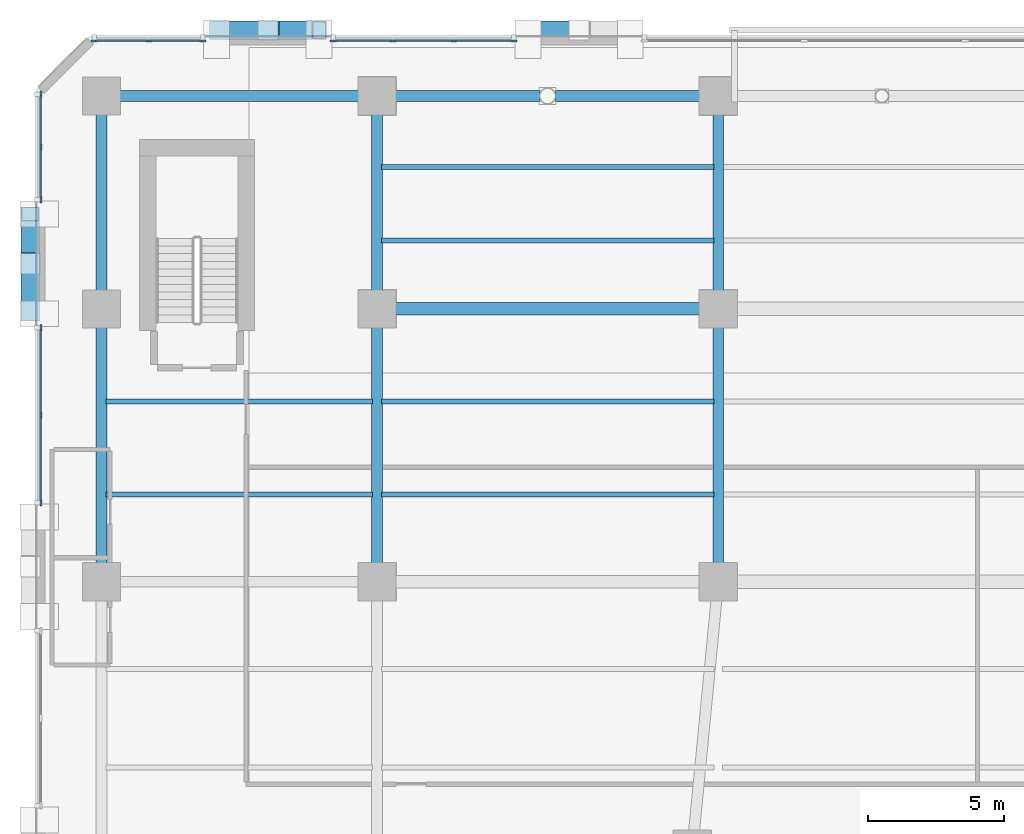
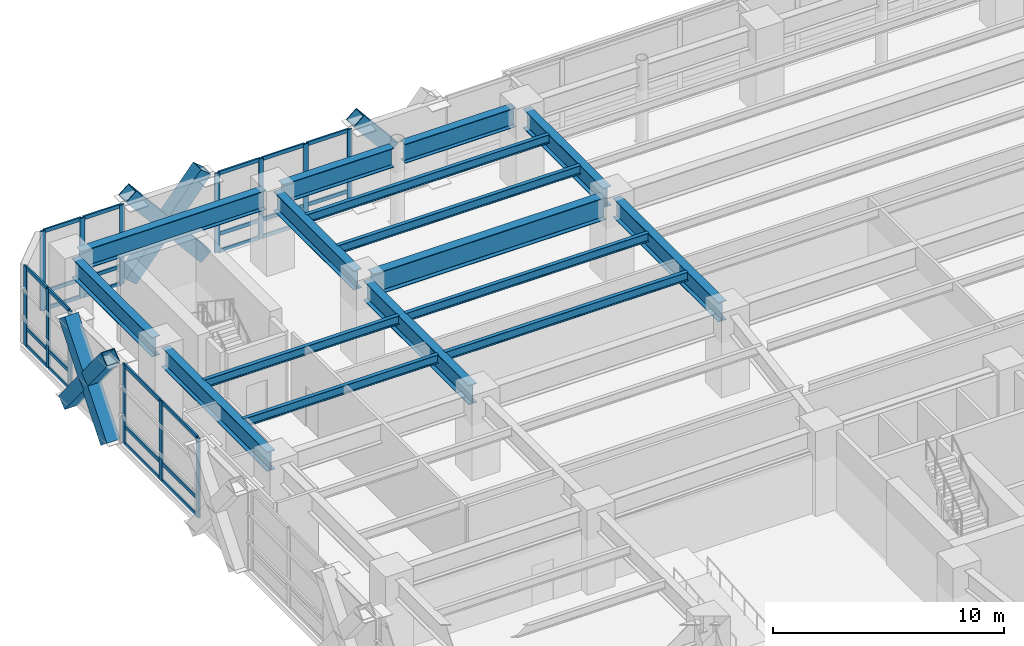
# One storey, part 9 of 30: 47 members, 16 beams, 4 elements without a shape of their own.
"""IFC4 building model written with IfcOpenShell, lengths in metres."""

from ifc_helpers import new_model, si_unit, direction, frame, origin, origin_2d, place, context, subcontext, project, spatial, rectangle, hollow_rectangle, i_section, extrude, material, material_profile, profile_set, type_object, element, aggregate, save


model = new_model("IFC4")

# Units and contexts
model_context = context("Model", 3, precision=1e-05, world=origin(), true_north=direction((0.0, 1.0)))
body_context = subcontext(model_context, "Body", "Model", "MODEL_VIEW")
ifc_project = project(units=[si_unit("LENGTHUNIT", "METRE"), si_unit("AREAUNIT", "SQUARE_METRE"), si_unit("VOLUMEUNIT", "CUBIC_METRE"), si_unit("PLANEANGLEUNIT", "RADIAN"), si_unit("MASSUNIT", "GRAM", prefix="KILO")], contexts=[model_context])

# Site, building, storey
site_placement = place(None, origin())
site = spatial("IfcSite", under=ifc_project, at=site_placement, CompositionType="ELEMENT")
building_placement = place(site_placement, origin())
building = spatial("IfcBuilding", under=site, at=building_placement, Name="Quenlor Broadcast Tower", CompositionType="ELEMENT")
storey_placement = place(building_placement, frame((0.0, 0.0, 9.5)))
storey = spatial("IfcBuildingStorey", under=building, at=storey_placement, Name="L02", CompositionType="ELEMENT", Elevation=9.5)

# Curtain wall, members
ifc_material_1 = material(Name="Architectural Terracotta and Low-E Glazing", Category="masonry")
curtain_wall_type = type_object("IfcCurtainWallType", Name="Station Concourse and Crown Terracotta Curtain Wall", PredefinedType="NOTDEFINED", material=ifc_material_1)
curtain_wall_1_placement = place(storey_placement, origin())
curtain_wall_1 = element("IfcCurtainWall", 1, at=curtain_wall_1_placement, inside=storey, type_object=curtain_wall_type, Name="L02 Curtain Wall CW6 (L02-N-FULL-G1)", PredefinedType="NOTDEFINED")
ifc_material_2 = material(Name="Aluminium 6063-T6", Category="aluminium")
ifc_material_profile_1 = material_profile(ifc_material_2, rectangle(XDim=0.08203125, YDim=0.239990234375, at=origin_2d()))
ifc_profile_set_1 = profile_set([ifc_material_profile_1], Name="Aluminium 6063-T6 MULL82x240")
member_type_1 = type_object("IfcMemberType", Name="CW6 Aluminium Mullion MULL_CW6", PredefinedType="MULLION", material=ifc_profile_set_1)
member_1_placement = place(storey_placement, frame((-34.85888671875, 24.820068359375, 0.0), z_axis=(0.0, 0.0, 1.0), x_axis=(0.0, 1.0, 0.0)))
member_1 = element("IfcMember", 2, at=member_1_placement, type_object=member_type_1, Name="CW6 mullion 1", PredefinedType="MULLION", context=body_context, shape_type="SweptSolid", body=[
    extrude(rectangle(XDim=0.08203125, YDim=0.239990234375, at=origin_2d()), origin(), (0.0, 0.0, 1.0), 4.199951171875),
])
member_2_placement = place(storey_placement, frame((-32.874755859375, 24.820068359375, 0.0), z_axis=(0.0, 0.0, 1.0), x_axis=(0.0, 1.0, 0.0)))
member_2 = element("IfcMember", 3, at=member_2_placement, type_object=member_type_1, Name="CW6 mullion 2", PredefinedType="MULLION", context=body_context, shape_type="SweptSolid", body=[
    extrude(rectangle(XDim=0.08203125, YDim=0.239990234375, at=origin_2d()), origin(), (0.0, 0.0, 1.0), 4.199951171875),
])
member_3_placement = place(storey_placement, frame((-30.890380859375, 24.820068359375, 0.0), z_axis=(0.0, 0.0, 1.0), x_axis=(0.0, 1.0, 0.0)))
member_3 = element("IfcMember", 4, at=member_3_placement, type_object=member_type_1, Name="CW6 mullion 3", PredefinedType="MULLION", context=body_context, shape_type="SweptSolid", body=[
    extrude(rectangle(XDim=0.08203125, YDim=0.239990234375, at=origin_2d()), origin(), (0.0, 0.0, 1.0), 4.199951171875),
])

curtain_wall_2_placement = place(storey_placement, origin())
curtain_wall_2 = element("IfcCurtainWall", 5, at=curtain_wall_2_placement, inside=storey, type_object=curtain_wall_type, Name="L02 Curtain Wall CW6 (L02-N-FULL-G2)", PredefinedType="NOTDEFINED")
member_4_placement = place(storey_placement, frame((-26.109619140625, 24.820068359375, 0.0), z_axis=(0.0, 0.0, 1.0), x_axis=(0.0, 1.0, 0.0)))
member_4 = element("IfcMember", 6, at=member_4_placement, type_object=member_type_1, Name="CW6 mullion 1", PredefinedType="MULLION", context=body_context, shape_type="SweptSolid", body=[
    extrude(rectangle(XDim=0.08203125, YDim=0.239990234375, at=origin_2d()), origin(), (0.0, 0.0, 1.0), 4.199951171875),
])
member_5_placement = place(storey_placement, frame((-23.916748046875, 24.820068359375, 0.0), z_axis=(0.0, 0.0, 1.0), x_axis=(0.0, 1.0, 0.0)))
member_5 = element("IfcMember", 7, at=member_5_placement, type_object=member_type_1, Name="CW6 mullion 2", PredefinedType="MULLION", context=body_context, shape_type="SweptSolid", body=[
    extrude(rectangle(XDim=0.08203125, YDim=0.239990234375, at=origin_2d()), origin(), (0.0, 0.0, 1.0), 4.199951171875),
])
member_6_placement = place(storey_placement, frame((-21.68310546875, 24.820068359375, 0.0), z_axis=(0.0, 0.0, 1.0), x_axis=(0.0, 1.0, 0.0)))
member_6 = element("IfcMember", 8, at=member_6_placement, type_object=member_type_1, Name="CW6 mullion 3", PredefinedType="MULLION", context=body_context, shape_type="SweptSolid", body=[
    extrude(rectangle(XDim=0.08203125, YDim=0.239990234375, at=origin_2d()), origin(), (0.0, 0.0, 1.0), 4.199951171875),
])
member_7_placement = place(storey_placement, frame((-19.490478515625, 24.820068359375, 0.0), z_axis=(0.0, 0.0, 1.0), x_axis=(0.0, 1.0, 0.0)))
member_7 = element("IfcMember", 9, at=member_7_placement, type_object=member_type_1, Name="CW6 mullion 4", PredefinedType="MULLION", context=body_context, shape_type="SweptSolid", body=[
    extrude(rectangle(XDim=0.08203125, YDim=0.239990234375, at=origin_2d()), origin(), (0.0, 0.0, 1.0), 4.199951171875),
])

curtain_wall_3_placement = place(storey_placement, origin())
curtain_wall_3 = element("IfcCurtainWall", 10, at=curtain_wall_3_placement, inside=storey, type_object=curtain_wall_type, Name="L02 Curtain Wall CW6 (L02-W-FULL-G4)", PredefinedType="NOTDEFINED")
member_8_placement = place(storey_placement, frame((-36.820068359375, 7.893798828125, 0.0), z_axis=(0.0, 0.0, 1.0), x_axis=(-1.0, 0.0, 0.0)))
member_8 = element("IfcMember", 11, at=member_8_placement, type_object=member_type_1, Name="CW6 mullion 1", PredefinedType="MULLION", context=body_context, shape_type="SweptSolid", body=[
    extrude(rectangle(XDim=0.08203125, YDim=0.239990234375, at=origin_2d()), origin(), (0.0, 0.0, 1.0), 4.199951171875),
])
member_9_placement = place(storey_placement, frame((-36.820068359375, 11.10009765625, 0.0), z_axis=(0.0, 0.0, 1.0), x_axis=(-1.0, 0.0, 0.0)))
member_9 = element("IfcMember", 12, at=member_9_placement, type_object=member_type_1, Name="CW6 mullion 2", PredefinedType="MULLION", context=body_context, shape_type="SweptSolid", body=[
    extrude(rectangle(XDim=0.08203125, YDim=0.239990234375, at=origin_2d()), origin(), (0.0, 0.0, 1.0), 4.199951171875),
])
member_10_placement = place(storey_placement, frame((-36.820068359375, 14.306396484375, 0.0), z_axis=(0.0, 0.0, 1.0), x_axis=(-1.0, 0.0, 0.0)))
member_10 = element("IfcMember", 13, at=member_10_placement, type_object=member_type_1, Name="CW6 mullion 3", PredefinedType="MULLION", context=body_context, shape_type="SweptSolid", body=[
    extrude(rectangle(XDim=0.08203125, YDim=0.239990234375, at=origin_2d()), origin(), (0.0, 0.0, 1.0), 4.199951171875),
])

curtain_wall_4_placement = place(storey_placement, origin())
curtain_wall_4 = element("IfcCurtainWall", 14, at=curtain_wall_4_placement, inside=storey, type_object=curtain_wall_type, Name="L02 Curtain Wall CW6 (L02-W-FULL-G5)", PredefinedType="NOTDEFINED")
member_11_placement = place(storey_placement, frame((-36.820068359375, 18.99365234375, 0.0), z_axis=(0.0, 0.0, 1.0), x_axis=(-1.0, 0.0, 0.0)))
member_11 = element("IfcMember", 15, at=member_11_placement, type_object=member_type_1, Name="CW6 mullion 1", PredefinedType="MULLION", context=body_context, shape_type="SweptSolid", body=[
    extrude(rectangle(XDim=0.08203125, YDim=0.239990234375, at=origin_2d()), origin(), (0.0, 0.0, 1.0), 4.199951171875),
])
member_12_placement = place(storey_placement, frame((-36.820068359375, 20.92626953125, 0.0), z_axis=(0.0, 0.0, 1.0), x_axis=(-1.0, 0.0, 0.0)))
member_12 = element("IfcMember", 16, at=member_12_placement, type_object=member_type_1, Name="CW6 mullion 2", PredefinedType="MULLION", context=body_context, shape_type="SweptSolid", body=[
    extrude(rectangle(XDim=0.08203125, YDim=0.239990234375, at=origin_2d()), origin(), (0.0, 0.0, 1.0), 4.199951171875),
])
member_13_placement = place(storey_placement, frame((-36.820068359375, 22.85888671875, 0.0), z_axis=(0.0, 0.0, 1.0), x_axis=(-1.0, 0.0, 0.0)))
member_13 = element("IfcMember", 17, at=member_13_placement, type_object=member_type_1, Name="CW6 mullion 3", PredefinedType="MULLION", context=body_context, shape_type="SweptSolid", body=[
    extrude(rectangle(XDim=0.08203125, YDim=0.239990234375, at=origin_2d()), origin(), (0.0, 0.0, 1.0), 4.199951171875),
])

# Member
ifc_material_3 = material(Name="Aluminium 6063-T6", Category="aluminium")
ifc_material_profile_2 = material_profile(ifc_material_3, rectangle(XDim=0.08203125, YDim=0.195068359375, at=origin_2d()))
ifc_profile_set_2 = profile_set([ifc_material_profile_2], Name="Aluminium 6063-T6 TRAN82x195")
member_type_2 = type_object("IfcMemberType", Name="CW6 Aluminium Transom TRAN_CW6", PredefinedType="USERDEFINED", material=ifc_profile_set_2)
member_14_placement = place(storey_placement, frame((-34.818115234375, 24.820068359375, 0.041015625), z_axis=(1.0, 0.0, 0.0), x_axis=(0.0, 1.0, 0.0)))
member_14 = element("IfcMember", 18, at=member_14_placement, type_object=member_type_2, Name="CW6 transom 1.1", ObjectType="TRANSOM", PredefinedType="USERDEFINED", context=body_context, shape_type="SweptSolid", body=[
    extrude(rectangle(XDim=0.08203125, YDim=0.195068359375, at=origin_2d()), origin(), (0.0, 0.0, 1.0), 1.90234375),
])

member_15_placement = place(storey_placement, frame((-34.818115234375, 24.820068359375, 0.949951171875), z_axis=(1.0, 0.0, 0.0), x_axis=(0.0, 1.0, 0.0)))
member_15 = element("IfcMember", 19, at=member_15_placement, type_object=member_type_2, Name="CW6 transom 1.2", ObjectType="TRANSOM", PredefinedType="USERDEFINED", context=body_context, shape_type="SweptSolid", body=[
    extrude(rectangle(XDim=0.08203125, YDim=0.195068359375, at=origin_2d()), origin(), (0.0, 0.0, 1.0), 1.90234375),
])

member_16_placement = place(storey_placement, frame((-34.818115234375, 24.820068359375, 4.158935546875), z_axis=(1.0, 0.0, 0.0), x_axis=(0.0, 1.0, 0.0)))
member_16 = element("IfcMember", 20, at=member_16_placement, type_object=member_type_2, Name="CW6 transom 1.3", ObjectType="TRANSOM", PredefinedType="USERDEFINED", context=body_context, shape_type="SweptSolid", body=[
    extrude(rectangle(XDim=0.08203125, YDim=0.195068359375, at=origin_2d()), origin(), (0.0, 0.0, 1.0), 1.90234375),
])

member_17_placement = place(storey_placement, frame((-32.833740234375, 24.820068359375, 0.041015625), z_axis=(1.0, 0.0, 0.0), x_axis=(0.0, 1.0, 0.0)))
member_17 = element("IfcMember", 21, at=member_17_placement, type_object=member_type_2, Name="CW6 transom 2.1", ObjectType="TRANSOM", PredefinedType="USERDEFINED", context=body_context, shape_type="SweptSolid", body=[
    extrude(rectangle(XDim=0.08203125, YDim=0.195068359375, at=origin_2d()), origin(), (0.0, 0.0, 1.0), 1.90234375),
])

member_18_placement = place(storey_placement, frame((-32.833740234375, 24.820068359375, 0.949951171875), z_axis=(1.0, 0.0, 0.0), x_axis=(0.0, 1.0, 0.0)))
member_18 = element("IfcMember", 22, at=member_18_placement, type_object=member_type_2, Name="CW6 transom 2.2", ObjectType="TRANSOM", PredefinedType="USERDEFINED", context=body_context, shape_type="SweptSolid", body=[
    extrude(rectangle(XDim=0.08203125, YDim=0.195068359375, at=origin_2d()), origin(), (0.0, 0.0, 1.0), 1.90234375),
])

member_19_placement = place(storey_placement, frame((-32.833740234375, 24.820068359375, 4.158935546875), z_axis=(1.0, 0.0, 0.0), x_axis=(0.0, 1.0, 0.0)))
member_19 = element("IfcMember", 23, at=member_19_placement, type_object=member_type_2, Name="CW6 transom 2.3", ObjectType="TRANSOM", PredefinedType="USERDEFINED", context=body_context, shape_type="SweptSolid", body=[
    extrude(rectangle(XDim=0.08203125, YDim=0.195068359375, at=origin_2d()), origin(), (0.0, 0.0, 1.0), 1.90234375),
])

aggregate(curtain_wall_1, [member_1, member_2, member_3, member_14, member_15, member_16, member_17, member_18, member_19])

member_20_placement = place(storey_placement, frame((-26.068603515625, 24.820068359375, 0.041015625), z_axis=(1.0, 0.0, 0.0), x_axis=(0.0, 1.0, 0.0)))
member_20 = element("IfcMember", 24, at=member_20_placement, type_object=member_type_2, Name="CW6 transom 1.1", ObjectType="TRANSOM", PredefinedType="USERDEFINED", context=body_context, shape_type="SweptSolid", body=[
    extrude(rectangle(XDim=0.08203125, YDim=0.195068359375, at=origin_2d()), origin(), (0.0, 0.0, 1.0), 2.11083984375),
])

member_21_placement = place(storey_placement, frame((-26.068603515625, 24.820068359375, 0.949951171875), z_axis=(1.0, 0.0, 0.0), x_axis=(0.0, 1.0, 0.0)))
member_21 = element("IfcMember", 25, at=member_21_placement, type_object=member_type_2, Name="CW6 transom 1.2", ObjectType="TRANSOM", PredefinedType="USERDEFINED", context=body_context, shape_type="SweptSolid", body=[
    extrude(rectangle(XDim=0.08203125, YDim=0.195068359375, at=origin_2d()), origin(), (0.0, 0.0, 1.0), 2.11083984375),
])

member_22_placement = place(storey_placement, frame((-26.068603515625, 24.820068359375, 4.158935546875), z_axis=(1.0, 0.0, 0.0), x_axis=(0.0, 1.0, 0.0)))
member_22 = element("IfcMember", 26, at=member_22_placement, type_object=member_type_2, Name="CW6 transom 1.3", ObjectType="TRANSOM", PredefinedType="USERDEFINED", context=body_context, shape_type="SweptSolid", body=[
    extrude(rectangle(XDim=0.08203125, YDim=0.195068359375, at=origin_2d()), origin(), (0.0, 0.0, 1.0), 2.11083984375),
])

member_23_placement = place(storey_placement, frame((-23.875732421875, 24.820068359375, 0.041015625), z_axis=(1.0, 0.0, 0.0), x_axis=(0.0, 1.0, 0.0)))
member_23 = element("IfcMember", 27, at=member_23_placement, type_object=member_type_2, Name="CW6 transom 2.1", ObjectType="TRANSOM", PredefinedType="USERDEFINED", context=body_context, shape_type="SweptSolid", body=[
    extrude(rectangle(XDim=0.08203125, YDim=0.195068359375, at=origin_2d()), origin(), (0.0, 0.0, 1.0), 2.151611328125),
])

member_24_placement = place(storey_placement, frame((-23.875732421875, 24.820068359375, 0.949951171875), z_axis=(1.0, 0.0, 0.0), x_axis=(0.0, 1.0, 0.0)))
member_24 = element("IfcMember", 28, at=member_24_placement, type_object=member_type_2, Name="CW6 transom 2.2", ObjectType="TRANSOM", PredefinedType="USERDEFINED", context=body_context, shape_type="SweptSolid", body=[
    extrude(rectangle(XDim=0.08203125, YDim=0.195068359375, at=origin_2d()), origin(), (0.0, 0.0, 1.0), 2.151611328125),
])

member_25_placement = place(storey_placement, frame((-23.875732421875, 24.820068359375, 4.158935546875), z_axis=(1.0, 0.0, 0.0), x_axis=(0.0, 1.0, 0.0)))
member_25 = element("IfcMember", 29, at=member_25_placement, type_object=member_type_2, Name="CW6 transom 2.3", ObjectType="TRANSOM", PredefinedType="USERDEFINED", context=body_context, shape_type="SweptSolid", body=[
    extrude(rectangle(XDim=0.08203125, YDim=0.195068359375, at=origin_2d()), origin(), (0.0, 0.0, 1.0), 2.151611328125),
])

member_26_placement = place(storey_placement, frame((-21.64208984375, 24.820068359375, 0.041015625), z_axis=(1.0, 0.0, 0.0), x_axis=(0.0, 1.0, 0.0)))
member_26 = element("IfcMember", 30, at=member_26_placement, type_object=member_type_2, Name="CW6 transom 3.1", ObjectType="TRANSOM", PredefinedType="USERDEFINED", context=body_context, shape_type="SweptSolid", body=[
    extrude(rectangle(XDim=0.08203125, YDim=0.195068359375, at=origin_2d()), origin(), (0.0, 0.0, 1.0), 2.110595703125),
])

member_27_placement = place(storey_placement, frame((-21.64208984375, 24.820068359375, 0.949951171875), z_axis=(1.0, 0.0, 0.0), x_axis=(0.0, 1.0, 0.0)))
member_27 = element("IfcMember", 31, at=member_27_placement, type_object=member_type_2, Name="CW6 transom 3.2", ObjectType="TRANSOM", PredefinedType="USERDEFINED", context=body_context, shape_type="SweptSolid", body=[
    extrude(rectangle(XDim=0.08203125, YDim=0.195068359375, at=origin_2d()), origin(), (0.0, 0.0, 1.0), 2.110595703125),
])

member_28_placement = place(storey_placement, frame((-21.64208984375, 24.820068359375, 4.158935546875), z_axis=(1.0, 0.0, 0.0), x_axis=(0.0, 1.0, 0.0)))
member_28 = element("IfcMember", 32, at=member_28_placement, type_object=member_type_2, Name="CW6 transom 3.3", ObjectType="TRANSOM", PredefinedType="USERDEFINED", context=body_context, shape_type="SweptSolid", body=[
    extrude(rectangle(XDim=0.08203125, YDim=0.195068359375, at=origin_2d()), origin(), (0.0, 0.0, 1.0), 2.110595703125),
])

aggregate(curtain_wall_2, [member_4, member_5, member_6, member_7, member_20, member_21, member_22, member_23, member_24, member_25, member_26, member_27, member_28])

member_29_placement = place(storey_placement, frame((-36.820068359375, 7.934814453125, 0.041015625), z_axis=(0.0, 1.0, 0.0), x_axis=(-1.0, 0.0, 0.0)))
member_29 = element("IfcMember", 33, at=member_29_placement, type_object=member_type_2, Name="CW6 transom 1.1", ObjectType="TRANSOM", PredefinedType="USERDEFINED", context=body_context, shape_type="SweptSolid", body=[
    extrude(rectangle(XDim=0.08203125, YDim=0.195068359375, at=origin_2d()), origin(), (0.0, 0.0, 1.0), 3.124267578125),
])

member_30_placement = place(storey_placement, frame((-36.820068359375, 7.934814453125, 0.949951171875), z_axis=(0.0, 1.0, 0.0), x_axis=(-1.0, 0.0, 0.0)))
member_30 = element("IfcMember", 34, at=member_30_placement, type_object=member_type_2, Name="CW6 transom 1.2", ObjectType="TRANSOM", PredefinedType="USERDEFINED", context=body_context, shape_type="SweptSolid", body=[
    extrude(rectangle(XDim=0.08203125, YDim=0.195068359375, at=origin_2d()), origin(), (0.0, 0.0, 1.0), 3.124267578125),
])

member_31_placement = place(storey_placement, frame((-36.820068359375, 7.934814453125, 4.158935546875), z_axis=(0.0, 1.0, 0.0), x_axis=(-1.0, 0.0, 0.0)))
member_31 = element("IfcMember", 35, at=member_31_placement, type_object=member_type_2, Name="CW6 transom 1.3", ObjectType="TRANSOM", PredefinedType="USERDEFINED", context=body_context, shape_type="SweptSolid", body=[
    extrude(rectangle(XDim=0.08203125, YDim=0.195068359375, at=origin_2d()), origin(), (0.0, 0.0, 1.0), 3.124267578125),
])

member_32_placement = place(storey_placement, frame((-36.820068359375, 11.14111328125, 0.041015625), z_axis=(0.0, 1.0, 0.0), x_axis=(-1.0, 0.0, 0.0)))
member_32 = element("IfcMember", 36, at=member_32_placement, type_object=member_type_2, Name="CW6 transom 2.1", ObjectType="TRANSOM", PredefinedType="USERDEFINED", context=body_context, shape_type="SweptSolid", body=[
    extrude(rectangle(XDim=0.08203125, YDim=0.195068359375, at=origin_2d()), origin(), (0.0, 0.0, 1.0), 3.124267578125),
])

member_33_placement = place(storey_placement, frame((-36.820068359375, 11.14111328125, 0.949951171875), z_axis=(0.0, 1.0, 0.0), x_axis=(-1.0, 0.0, 0.0)))
member_33 = element("IfcMember", 37, at=member_33_placement, type_object=member_type_2, Name="CW6 transom 2.2", ObjectType="TRANSOM", PredefinedType="USERDEFINED", context=body_context, shape_type="SweptSolid", body=[
    extrude(rectangle(XDim=0.08203125, YDim=0.195068359375, at=origin_2d()), origin(), (0.0, 0.0, 1.0), 3.124267578125),
])

member_34_placement = place(storey_placement, frame((-36.820068359375, 11.14111328125, 4.158935546875), z_axis=(0.0, 1.0, 0.0), x_axis=(-1.0, 0.0, 0.0)))
member_34 = element("IfcMember", 38, at=member_34_placement, type_object=member_type_2, Name="CW6 transom 2.3", ObjectType="TRANSOM", PredefinedType="USERDEFINED", context=body_context, shape_type="SweptSolid", body=[
    extrude(rectangle(XDim=0.08203125, YDim=0.195068359375, at=origin_2d()), origin(), (0.0, 0.0, 1.0), 3.124267578125),
])

aggregate(curtain_wall_3, [member_8, member_9, member_10, member_29, member_30, member_31, member_32, member_33, member_34])

member_35_placement = place(storey_placement, frame((-36.820068359375, 19.03466796875, 0.041015625), z_axis=(0.0, 1.0, 0.0), x_axis=(-1.0, 0.0, 0.0)))
member_35 = element("IfcMember", 39, at=member_35_placement, type_object=member_type_2, Name="CW6 transom 1.1", ObjectType="TRANSOM", PredefinedType="USERDEFINED", context=body_context, shape_type="SweptSolid", body=[
    extrude(rectangle(XDim=0.08203125, YDim=0.195068359375, at=origin_2d()), origin(), (0.0, 0.0, 1.0), 1.8505859375),
])

member_36_placement = place(storey_placement, frame((-36.820068359375, 19.03466796875, 0.949951171875), z_axis=(0.0, 1.0, 0.0), x_axis=(-1.0, 0.0, 0.0)))
member_36 = element("IfcMember", 40, at=member_36_placement, type_object=member_type_2, Name="CW6 transom 1.2", ObjectType="TRANSOM", PredefinedType="USERDEFINED", context=body_context, shape_type="SweptSolid", body=[
    extrude(rectangle(XDim=0.08203125, YDim=0.195068359375, at=origin_2d()), origin(), (0.0, 0.0, 1.0), 1.8505859375),
])

member_37_placement = place(storey_placement, frame((-36.820068359375, 19.03466796875, 4.158935546875), z_axis=(0.0, 1.0, 0.0), x_axis=(-1.0, 0.0, 0.0)))
member_37 = element("IfcMember", 41, at=member_37_placement, type_object=member_type_2, Name="CW6 transom 1.3", ObjectType="TRANSOM", PredefinedType="USERDEFINED", context=body_context, shape_type="SweptSolid", body=[
    extrude(rectangle(XDim=0.08203125, YDim=0.195068359375, at=origin_2d()), origin(), (0.0, 0.0, 1.0), 1.8505859375),
])

member_38_placement = place(storey_placement, frame((-36.820068359375, 20.96728515625, 0.041015625), z_axis=(0.0, 1.0, 0.0), x_axis=(-1.0, 0.0, 0.0)))
member_38 = element("IfcMember", 42, at=member_38_placement, type_object=member_type_2, Name="CW6 transom 2.1", ObjectType="TRANSOM", PredefinedType="USERDEFINED", context=body_context, shape_type="SweptSolid", body=[
    extrude(rectangle(XDim=0.08203125, YDim=0.195068359375, at=origin_2d()), origin(), (0.0, 0.0, 1.0), 1.850830078125),
])

member_39_placement = place(storey_placement, frame((-36.820068359375, 20.96728515625, 0.949951171875), z_axis=(0.0, 1.0, 0.0), x_axis=(-1.0, 0.0, 0.0)))
member_39 = element("IfcMember", 43, at=member_39_placement, type_object=member_type_2, Name="CW6 transom 2.2", ObjectType="TRANSOM", PredefinedType="USERDEFINED", context=body_context, shape_type="SweptSolid", body=[
    extrude(rectangle(XDim=0.08203125, YDim=0.195068359375, at=origin_2d()), origin(), (0.0, 0.0, 1.0), 1.850830078125),
])

member_40_placement = place(storey_placement, frame((-36.820068359375, 20.96728515625, 4.158935546875), z_axis=(0.0, 1.0, 0.0), x_axis=(-1.0, 0.0, 0.0)))
member_40 = element("IfcMember", 44, at=member_40_placement, type_object=member_type_2, Name="CW6 transom 2.3", ObjectType="TRANSOM", PredefinedType="USERDEFINED", context=body_context, shape_type="SweptSolid", body=[
    extrude(rectangle(XDim=0.08203125, YDim=0.195068359375, at=origin_2d()), origin(), (0.0, 0.0, 1.0), 1.850830078125),
])

aggregate(curtain_wall_4, [member_11, member_12, member_13, member_35, member_36, member_37, member_38, member_39, member_40])

# Members
ifc_material_4 = material(Name="Steel S355", Category="steel")
ifc_material_profile_3 = material_profile(ifc_material_4, hollow_rectangle(XDim=0.679931640625, YDim=0.679931640625, WallThickness=0.034912109375, at=origin_2d()))
ifc_profile_set_3 = profile_set([ifc_material_profile_3], Name="Steel S355 RHS680x680x35")
member_type_3 = type_object("IfcMemberType", Name="Perimeter Diagonal Lattice Brace Z1 Steel S355 RHS680x35", PredefinedType="BRACE", material=ifc_profile_set_3)
member_41_placement = place(storey_placement, frame((-30.377197265625, 25.215087890625, -0.1201171875), z_axis=(0.640626831312, 0.0, 0.767852370578), x_axis=(0.0, 1.0, 0.0)))
element("IfcMember", 45, at=member_41_placement, inside=storey, type_object=member_type_3, Name="L02 Podium Diamond Lattice N-P1XA", PredefinedType="BRACE", context=body_context, shape_type="SweptSolid", body=[
    extrude(hollow_rectangle(XDim=0.679931640625, YDim=0.679931640625, WallThickness=0.034912109375, at=origin_2d()), origin(), (0.0, 0.0, 1.0), 5.860595703125),
])
member_42_placement = place(storey_placement, frame((-26.622802734375, 25.215087890625, -0.1201171875), z_axis=(-0.640614349103, 0.0, 0.767862784437), x_axis=(0.0, -1.0, 0.0)))
element("IfcMember", 46, at=member_42_placement, inside=storey, type_object=member_type_3, Name="L02 Podium Diamond Lattice N-P1XB1", PredefinedType="BRACE", context=body_context, shape_type="SweptSolid", body=[
    extrude(hollow_rectangle(XDim=0.679931640625, YDim=0.679931640625, WallThickness=0.034912109375, at=origin_2d()), origin(), (0.0, 0.0, 1.0), 2.680419921875),
])
for number, where, z_axis, x_axis, name in (
    (47, (-28.66015625, 25.215087890625, 2.322021484375), (-0.640659157162, 0.0, 0.767825399648), (0.0, -1.0, 0.0), "L02 Podium Diamond Lattice N-P1XB2"),
    (48, (-17.26025390625, 25.215087890625, 2.322021484375), (-0.640659157162, 0.0, 0.767825399648), (0.0, -1.0, 0.0), "L02 Podium Diamond Lattice N-P2XB2"),
):
    element("IfcMember", number, at=place(storey_placement, frame(where, z_axis=z_axis, x_axis=x_axis)), inside=storey, type_object=member_type_3, Name=name, PredefinedType="BRACE", context=body_context, shape_type="SweptSolid", body=[
        extrude(hollow_rectangle(XDim=0.679931640625, YDim=0.679931640625, WallThickness=0.034912109375, at=origin_2d()), origin(), (0.0, 0.0, 1.0), 2.68017578125),
    ])
member_43_placement = place(storey_placement, frame((-37.215087890625, 14.822265625, -0.1201171875), z_axis=(0.0, 0.630516526394, 0.776175824117), x_axis=(-1.0, 0.0, 0.0)))
element("IfcMember", 49, at=member_43_placement, inside=storey, type_object=member_type_3, Name="L02 Podium Diamond Lattice W-P4XA", PredefinedType="BRACE", context=body_context, shape_type="SweptSolid", body=[
    extrude(hollow_rectangle(XDim=0.679931640625, YDim=0.679931640625, WallThickness=0.034912109375, at=origin_2d()), origin(), (0.0, 0.0, 1.0), 5.797607421875),
])
for number, where, z_axis, x_axis, name in (
    (50, (-37.215087890625, 18.477783203125, -0.1201171875), (0.0, -0.630488529208, 0.776198566436), (1.0, 0.0, 0.0), "L02 Podium Diamond Lattice W-P4XB1"),
    (51, (-37.215087890625, 16.492431640625, 2.323974609375), (0.0, -0.630533634598, 0.776161926173), (1.0, 0.0, 0.0), "L02 Podium Diamond Lattice W-P4XB2"),
):
    element("IfcMember", number, at=place(storey_placement, frame(where, z_axis=z_axis, x_axis=x_axis)), inside=storey, type_object=member_type_3, Name=name, PredefinedType="BRACE", context=body_context, shape_type="SweptSolid", body=[
        extrude(hollow_rectangle(XDim=0.679931640625, YDim=0.679931640625, WallThickness=0.034912109375, at=origin_2d()), origin(), (0.0, 0.0, 1.0), 2.64892578125),
    ])

# Beams
ifc_material_5 = material(Name="Steel S355", Category="steel")
ifc_material_profile_4 = material_profile(ifc_material_5, i_section(OverallWidth=0.39990234375, OverallDepth=1.02392578125, WebThickness=0.01611328125, FlangeThickness=0.031982421875, FilletRadius=0.01611328125, at=origin_2d()))
ifc_profile_set_4 = profile_set([ifc_material_profile_4], Name="Steel S355 1000WB322")
beam_type_1 = type_object("IfcBeamType", Name="Podium Concourse Girder Steel S355 1000WB322", PredefinedType="BEAM", material=ifc_profile_set_4)
beam_1_placement = place(storey_placement, frame((-34.179931640625, 22.800048828125, 3.68798828125), z_axis=(1.0, 0.0, 0.0), x_axis=(0.0, 1.0, 0.0)))
element("IfcBeam", 52, at=beam_1_placement, inside=storey, type_object=beam_type_1, Name="L02 Podium Girder 24", PredefinedType="BEAM", context=body_context, shape_type="SweptSolid", body=[
    extrude(i_section(OverallWidth=0.39990234375, OverallDepth=1.02392578125, WebThickness=0.01611328125, FlangeThickness=0.031982421875, FilletRadius=0.01611328125, at=origin_2d()), origin(), (0.0, 0.0, 1.0), 9.260009765625),
])
for number, where, z_axis, x_axis, name in (
    (53, (-24.080078125, 22.800048828125, 3.68798828125), (1.0, 0.0, 0.0), (0.0, 1.0, 0.0), "L02 Podium Girder 25"),
    (54, (-17.965087890625, 22.800048828125, 3.68798828125), (1.0, 0.0, 0.0), (0.0, 1.0, 0.0), "L02 Podium Girder 26"),
):
    element("IfcBeam", number, at=place(storey_placement, frame(where, z_axis=z_axis, x_axis=x_axis)), inside=storey, type_object=beam_type_1, Name=name, PredefinedType="BEAM", context=body_context, shape_type="SweptSolid", body=[
        extrude(i_section(OverallWidth=0.39990234375, OverallDepth=1.02392578125, WebThickness=0.01611328125, FlangeThickness=0.031982421875, FilletRadius=0.01611328125, at=origin_2d()), origin(), (0.0, 0.0, 1.0), 5.545166015625),
    ])
beam_2_placement = place(storey_placement, frame((-34.60009765625, 5.419921875, 3.68798828125), z_axis=(0.0, 1.0, 0.0), x_axis=(-1.0, 0.0, 0.0)))
element("IfcBeam", 55, at=beam_2_placement, inside=storey, type_object=beam_type_1, Name="L02 Podium Girder 37", PredefinedType="BEAM", context=body_context, shape_type="SweptSolid", body=[
    extrude(i_section(OverallWidth=0.39990234375, OverallDepth=1.02392578125, WebThickness=0.01611328125, FlangeThickness=0.031982421875, FilletRadius=0.01611328125, at=origin_2d()), origin(), (0.0, 0.0, 1.0), 9.16015625),
])
beam_3_placement = place(storey_placement, frame((-34.60009765625, 15.419921875, 3.68798828125), z_axis=(0.0, 1.0, 0.0), x_axis=(-1.0, 0.0, 0.0)))
element("IfcBeam", 56, at=beam_3_placement, inside=storey, type_object=beam_type_1, Name="L02 Podium Girder 38", PredefinedType="BEAM", context=body_context, shape_type="SweptSolid", body=[
    extrude(i_section(OverallWidth=0.39990234375, OverallDepth=1.02392578125, WebThickness=0.01611328125, FlangeThickness=0.031982421875, FilletRadius=0.01611328125, at=origin_2d()), origin(), (0.0, 0.0, 1.0), 6.9599609375),
])
beam_4_placement = place(storey_placement, frame((-24.5, 5.419921875, 3.68798828125), z_axis=(0.0, 1.0, 0.0), x_axis=(-1.0, 0.0, 0.0)))
element("IfcBeam", 57, at=beam_4_placement, inside=storey, type_object=beam_type_1, Name="L02 Podium Girder 42", PredefinedType="BEAM", context=body_context, shape_type="SweptSolid", body=[
    extrude(i_section(OverallWidth=0.39990234375, OverallDepth=1.02392578125, WebThickness=0.01611328125, FlangeThickness=0.031982421875, FilletRadius=0.01611328125, at=origin_2d()), origin(), (0.0, 0.0, 1.0), 9.16015625),
])
beam_5_placement = place(storey_placement, frame((-24.5, 15.419921875, 3.68798828125), z_axis=(0.0, 1.0, 0.0), x_axis=(-1.0, 0.0, 0.0)))
element("IfcBeam", 58, at=beam_5_placement, inside=storey, type_object=beam_type_1, Name="L02 Podium Girder 43", PredefinedType="BEAM", context=body_context, shape_type="SweptSolid", body=[
    extrude(i_section(OverallWidth=0.39990234375, OverallDepth=1.02392578125, WebThickness=0.01611328125, FlangeThickness=0.031982421875, FilletRadius=0.01611328125, at=origin_2d()), origin(), (0.0, 0.0, 1.0), 6.9599609375),
])
beam_6_placement = place(storey_placement, frame((-12.0, 5.419921875, 3.68798828125), z_axis=(0.0, 1.0, 0.0), x_axis=(-1.0, 0.0, 0.0)))
element("IfcBeam", 59, at=beam_6_placement, inside=storey, type_object=beam_type_1, Name="L02 Podium Girder 54", PredefinedType="BEAM", context=body_context, shape_type="SweptSolid", body=[
    extrude(i_section(OverallWidth=0.39990234375, OverallDepth=1.02392578125, WebThickness=0.01611328125, FlangeThickness=0.031982421875, FilletRadius=0.01611328125, at=origin_2d()), origin(), (0.0, 0.0, 1.0), 9.16015625),
])
beam_7_placement = place(storey_placement, frame((-12.0, 15.419921875, 3.68798828125), z_axis=(0.0, 1.0, 0.0), x_axis=(-1.0, 0.0, 0.0)))
element("IfcBeam", 60, at=beam_7_placement, inside=storey, type_object=beam_type_1, Name="L02 Podium Girder 55", PredefinedType="BEAM", context=body_context, shape_type="SweptSolid", body=[
    extrude(i_section(OverallWidth=0.39990234375, OverallDepth=1.02392578125, WebThickness=0.01611328125, FlangeThickness=0.031982421875, FilletRadius=0.01611328125, at=origin_2d()), origin(), (0.0, 0.0, 1.0), 6.9599609375),
])
ifc_material_6 = material(Name="Steel S355", Category="steel")
ifc_material_profile_5 = material_profile(ifc_material_6, i_section(OverallWidth=0.18994140625, OverallDepth=0.453857421875, WebThickness=0.008544921875, FlangeThickness=0.0126953125, FilletRadius=0.011474609375, at=origin_2d()))
ifc_profile_set_5 = profile_set([ifc_material_profile_5], Name="Steel S355 460UB67.1")
beam_type_2 = type_object("IfcBeamType", Name="Podium Floor Joist Steel S355 460UB67.1", PredefinedType="JOIST", material=ifc_profile_set_5)
beam_8_placement = place(storey_placement, frame((-34.43994140625, 8.199951171875, 3.97314453125), z_axis=(1.0, 0.0, 0.0), x_axis=(0.0, 1.0, 0.0)))
element("IfcBeam", 61, at=beam_8_placement, inside=storey, type_object=beam_type_2, Name="L02 Podium Floor Joist 1", PredefinedType="JOIST", context=body_context, shape_type="SweptSolid", body=[
    extrude(i_section(OverallWidth=0.18994140625, OverallDepth=0.453857421875, WebThickness=0.008544921875, FlangeThickness=0.0126953125, FilletRadius=0.011474609375, at=origin_2d()), origin(), (0.0, 0.0, 1.0), 9.780029296875),
])
beam_9_placement = place(storey_placement, frame((-24.340087890625, 8.199951171875, 3.97314453125), z_axis=(1.0, 0.0, 0.0), x_axis=(0.0, 1.0, 0.0)))
element("IfcBeam", 62, at=beam_9_placement, inside=storey, type_object=beam_type_2, Name="L02 Podium Floor Joist 2", PredefinedType="JOIST", context=body_context, shape_type="SweptSolid", body=[
    extrude(i_section(OverallWidth=0.18994140625, OverallDepth=0.453857421875, WebThickness=0.008544921875, FlangeThickness=0.0126953125, FilletRadius=0.011474609375, at=origin_2d()), origin(), (0.0, 0.0, 1.0), 12.18017578125),
])
beam_10_placement = place(storey_placement, frame((-34.43994140625, 11.60009765625, 3.97314453125), z_axis=(1.0, 0.0, 0.0), x_axis=(0.0, 1.0, 0.0)))
element("IfcBeam", 63, at=beam_10_placement, inside=storey, type_object=beam_type_2, Name="L02 Podium Floor Joist 6", PredefinedType="JOIST", context=body_context, shape_type="SweptSolid", body=[
    extrude(i_section(OverallWidth=0.18994140625, OverallDepth=0.453857421875, WebThickness=0.008544921875, FlangeThickness=0.0126953125, FilletRadius=0.011474609375, at=origin_2d()), origin(), (0.0, 0.0, 1.0), 9.780029296875),
])
for number, where, z_axis, x_axis, name in (
    (64, (-24.340087890625, 11.60009765625, 3.97314453125), (1.0, 0.0, 0.0), (0.0, 1.0, 0.0), "L02 Podium Floor Joist 7"),
    (65, (-24.340087890625, 17.5, 3.97314453125), (1.0, 0.0, 0.0), (0.0, 1.0, 0.0), "L02 Podium Floor Joist 12"),
    (66, (-24.340087890625, 20.199951171875, 3.97314453125), (1.0, 0.0, 0.0), (0.0, 1.0, 0.0), "L02 Podium Floor Joist 17"),
):
    element("IfcBeam", number, at=place(storey_placement, frame(where, z_axis=z_axis, x_axis=x_axis)), inside=storey, type_object=beam_type_2, Name=name, PredefinedType="JOIST", context=body_context, shape_type="SweptSolid", body=[
        extrude(i_section(OverallWidth=0.18994140625, OverallDepth=0.453857421875, WebThickness=0.008544921875, FlangeThickness=0.0126953125, FilletRadius=0.011474609375, at=origin_2d()), origin(), (0.0, 0.0, 1.0), 12.18017578125),
    ])
ifc_material_7 = material(Name="Steel S355", Category="steel")
ifc_material_profile_6 = material_profile(ifc_material_7, i_section(OverallWidth=0.449951171875, OverallDepth=1.18798828125, WebThickness=0.01806640625, FlangeThickness=0.031982421875, FilletRadius=0.01611328125, at=origin_2d()))
ifc_profile_set_6 = profile_set([ifc_material_profile_6], Name="Steel S355 1200WB392")
beam_type_3 = type_object("IfcBeamType", Name="Podium Secondary Studio Girder Steel S355 1200WB392", PredefinedType="BEAM", material=ifc_profile_set_6)
beam_11_placement = place(storey_placement, frame((-24.080078125, 15.0, 3.60595703125), z_axis=(1.0, 0.0, 0.0), x_axis=(0.0, 1.0, 0.0)))
element("IfcBeam", 67, at=beam_11_placement, inside=storey, type_object=beam_type_3, Name="L02 Podium Girder 20", PredefinedType="BEAM", context=body_context, shape_type="SweptSolid", body=[
    extrude(i_section(OverallWidth=0.449951171875, OverallDepth=1.18798828125, WebThickness=0.01806640625, FlangeThickness=0.031982421875, FilletRadius=0.01611328125, at=origin_2d()), origin(), (0.0, 0.0, 1.0), 11.66015625),
])

save(model, "model.ifc")
